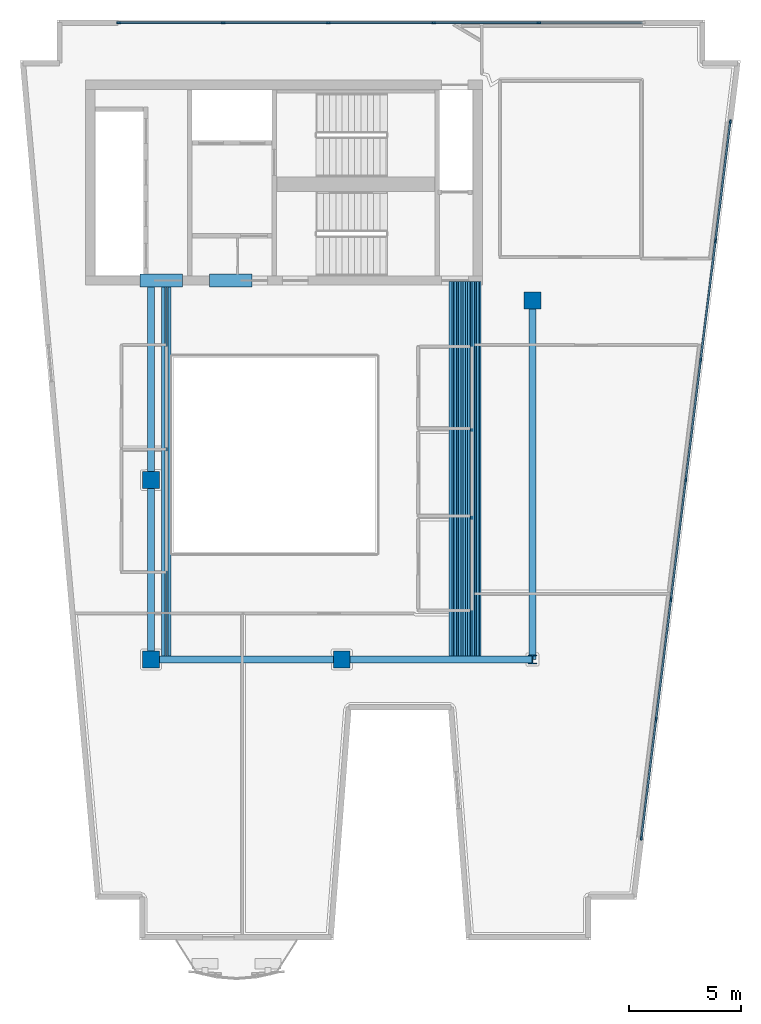
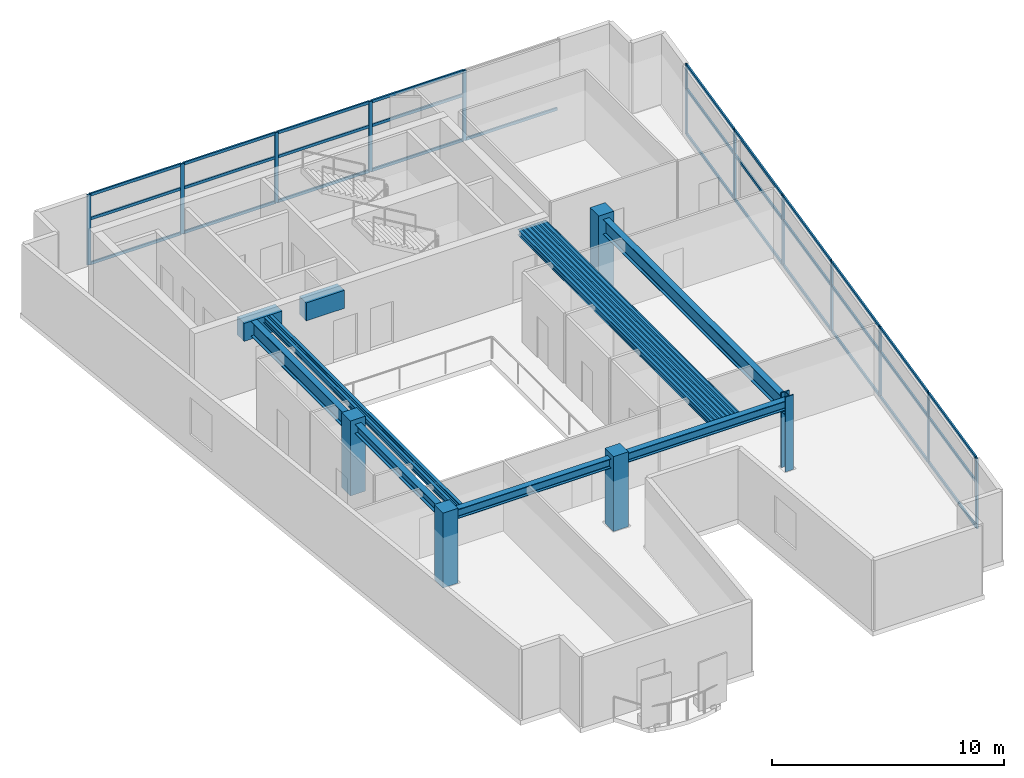
# One storey, part 1 of 7: 43 members, 24 beams, 5 columns, 2 elements without a shape of their own.
"""IFC4 building model written with IfcOpenShell, lengths in metres."""

from ifc_helpers import new_model, si_unit, direction, frame, origin, origin_2d, place, context, subcontext, project, spatial, rectangle, hollow_rectangle, i_section, extrude, material, layer, layer_set, material_profile, profile_set, type_object, element, aggregate, save


model = new_model("IFC4")

# Units and contexts
model_context = context("Model", 3, precision=1e-05, world=origin(), true_north=direction((0.0, 1.0)))
body_context = subcontext(model_context, "Body", "Model", "MODEL_VIEW")
ifc_project = project(units=[si_unit("LENGTHUNIT", "METRE"), si_unit("AREAUNIT", "SQUARE_METRE"), si_unit("VOLUMEUNIT", "CUBIC_METRE"), si_unit("PLANEANGLEUNIT", "RADIAN"), si_unit("MASSUNIT", "GRAM", prefix="KILO")], contexts=[model_context])

# Site, building, storey
site_placement = place(None, origin())
site = spatial("IfcSite", under=ifc_project, at=site_placement, CompositionType="ELEMENT")
building_placement = place(site_placement, origin())
building = spatial("IfcBuilding", under=site, at=building_placement, Name="Caeloran Harvest Quay", CompositionType="ELEMENT")
storey_placement = place(building_placement, frame((0.0, 0.0, 264.60009765625)))
storey = spatial("IfcBuildingStorey", under=building, at=storey_placement, Name="L63", CompositionType="ELEMENT", Elevation=264.60009765625)

# Columns
ifc_material_1 = material(Name="Concrete C60/75", Category="concrete")
ifc_material_profile_1 = material_profile(ifc_material_1, rectangle(XDim=0.75, YDim=0.75, at=origin_2d()), Name="RC 750x750")
ifc_profile_set_1 = profile_set([ifc_material_profile_1], Name="Concrete C60/75")
column_type_1 = type_object("IfcColumnType", Name="COL-MC-5-RC_750x750", PredefinedType="COLUMN", material=ifc_profile_set_1)
for number, where, z_axis, x_axis, name in (
    (1, (8.5, 15.0, 0.0), (0.0, 0.0, 1.0), (1.0, 0.0, 0.0), "L63 Structural Column (8.5, 15.0)"),
    (2, (8.5, 23.0, 0.0), (0.0, 0.0, 1.0), (1.0, 0.0, 0.0), "L63 Structural Column (8.5, 23.0)"),
    (3, (17.0, 15.0, 0.0), (0.0, 0.0, 1.0), (1.0, 0.0, 0.0), "L63 Structural Column (17.0, 15.0)"),
    (4, (25.5, 31.0, 0.0), (0.0, 0.0, 1.0), (1.0, 0.0, 0.0), "L63 Structural Column (25.5, 31.0)"),
):
    element("IfcColumn", number, at=place(storey_placement, frame(where, z_axis=z_axis, x_axis=x_axis)), inside=storey, type_object=column_type_1, Name=name, PredefinedType="COLUMN", context=body_context, shape_type="SweptSolid", body=[
        extrude(rectangle(XDim=0.75, YDim=0.75, at=origin_2d()), origin(), (0.0, 0.0, 1.0), 3.949951171875),
    ])
ifc_material_2 = material(Name="Steel HISTAR 460", Category="steel")
ifc_material_profile_2 = material_profile(ifc_material_2, i_section(OverallWidth=0.406005859375, OverallDepth=0.416015625, WebThickness=0.02978515625, FlangeThickness=0.048095703125, FilletRadius=0.014892578125, at=origin_2d()), Name="HD 400x382")
ifc_profile_set_2 = profile_set([ifc_material_profile_2], Name="Steel HISTAR 460")
column_type_2 = type_object("IfcColumnType", Name="COL-SC-5-HD_400x382", PredefinedType="COLUMN", material=ifc_profile_set_2)
column_placement = place(storey_placement, frame((25.5, 15.0, 0.0), z_axis=(0.0, 0.0, 1.0), x_axis=(1.0, 0.0, 0.0)))
element("IfcColumn", 5, at=column_placement, inside=storey, type_object=column_type_2, Name="L63 Structural Column (25.5, 15.0)", PredefinedType="COLUMN", context=body_context, shape_type="SweptSolid", body=[
    extrude(i_section(OverallWidth=0.406005859375, OverallDepth=0.416015625, WebThickness=0.02978515625, FlangeThickness=0.048095703125, FilletRadius=0.014892578125, at=origin_2d()), origin(), (0.0, 0.0, 1.0), 3.949951171875),
])

# Beams
ifc_material_profile_3 = material_profile(ifc_material_1, rectangle(XDim=0.60009765625, YDim=0.949951171875, at=origin_2d()), Name="RC 600x950")
ifc_profile_set_3 = profile_set([ifc_material_profile_3], Name="Concrete C60/75")
beam_type_1 = type_object("IfcBeamType", Name="BM-CB-2-RC_600x950", PredefinedType="LINTEL", material=ifc_profile_set_3)
for number, where, z_axis, x_axis, name in (
    (6, (8.0, 31.889892578125, 3.224853515625), (1.0, 0.0, 0.0), (0.0, 1.0, 0.0), "L63 Core Coupling Beam 1"),
    (7, (11.10009765625, 31.889892578125, 3.224853515625), (1.0, 0.0, 0.0), (0.0, 1.0, 0.0), "L63 Core Coupling Beam 2"),
):
    element("IfcBeam", number, at=place(storey_placement, frame(where, z_axis=z_axis, x_axis=x_axis)), inside=storey, type_object=beam_type_1, Name=name, PredefinedType="LINTEL", context=body_context, shape_type="SweptSolid", body=[
        extrude(rectangle(XDim=0.60009765625, YDim=0.949951171875, at=origin_2d()), origin(), (0.0, 0.0, 1.0), 1.89990234375),
    ])
ifc_material_3 = material(Name="Steel S355J2", Category="steel")
ifc_material_profile_4 = material_profile(ifc_material_3, i_section(OverallWidth=0.300048828125, OverallDepth=0.800048828125, WebThickness=0.017578125, FlangeThickness=0.032958984375, FilletRadius=0.030029296875, at=origin_2d()), Name="HE 800 B")
ifc_profile_set_4 = profile_set([ifc_material_profile_4], Name="Steel S355J2")
beam_type_2 = type_object("IfcBeamType", Name="BM-PG-1-HE_800_B", PredefinedType="BEAM", material=ifc_profile_set_4)
beam_1_placement = place(storey_placement, frame((8.5, 23.0, 3.2998046875), z_axis=(0.0, 1.0, 0.0), x_axis=(-1.0, 0.0, 0.0)))
element("IfcBeam", 8, at=beam_1_placement, inside=storey, type_object=beam_type_2, Name="L63 Core South Tie Girder X=8.5", PredefinedType="BEAM", context=body_context, shape_type="SweptSolid", body=[
    extrude(i_section(OverallWidth=0.300048828125, OverallDepth=0.800048828125, WebThickness=0.017578125, FlangeThickness=0.032958984375, FilletRadius=0.030029296875, at=origin_2d()), origin(), (0.0, 0.0, 1.0), 8.840087890625),
])
beam_2_placement = place(storey_placement, frame((25.5, 15.0, 3.2998046875), z_axis=(0.0, 1.0, 0.0), x_axis=(-1.0, 0.0, 0.0)))
element("IfcBeam", 9, at=beam_2_placement, inside=storey, type_object=beam_type_2, Name="L63 Primary North-South Girder X=25.5", PredefinedType="BEAM", context=body_context, shape_type="SweptSolid", body=[
    extrude(i_section(OverallWidth=0.300048828125, OverallDepth=0.800048828125, WebThickness=0.017578125, FlangeThickness=0.032958984375, FilletRadius=0.030029296875, at=origin_2d()), origin(), (0.0, 0.0, 1.0), 16.0),
])
ifc_material_profile_5 = material_profile(ifc_material_3, i_section(OverallWidth=0.300048828125, OverallDepth=0.5, WebThickness=0.014404296875, FlangeThickness=0.028076171875, FilletRadius=0.027099609375, at=origin_2d()), Name="HE 500 B")
ifc_profile_set_5 = profile_set([ifc_material_profile_5], Name="Steel S355J2")
beam_type_3 = type_object("IfcBeamType", Name="BM-PG-4-HE_500_B", PredefinedType="BEAM", material=ifc_profile_set_5)
for number, where, z_axis, x_axis, name in (
    (10, (8.5, 15.0, 3.449951171875), (1.0, 0.0, 0.0), (0.0, 1.0, 0.0), "L63 Primary East-West Girder Y=15.0"),
    (11, (17.0, 15.0, 3.449951171875), (1.0, 0.0, 0.0), (0.0, 1.0, 0.0), "L63 Primary East-West Girder Y=15.0"),
):
    element("IfcBeam", number, at=place(storey_placement, frame(where, z_axis=z_axis, x_axis=x_axis)), inside=storey, type_object=beam_type_3, Name=name, PredefinedType="BEAM", context=body_context, shape_type="SweptSolid", body=[
        extrude(i_section(OverallWidth=0.300048828125, OverallDepth=0.5, WebThickness=0.014404296875, FlangeThickness=0.028076171875, FilletRadius=0.027099609375, at=origin_2d()), origin(), (0.0, 0.0, 1.0), 8.5),
    ])
beam_3_placement = place(storey_placement, frame((8.5, 15.0, 3.449951171875), z_axis=(0.0, 1.0, 0.0), x_axis=(-1.0, 0.0, 0.0)))
element("IfcBeam", 12, at=beam_3_placement, inside=storey, type_object=beam_type_3, Name="L63 Primary North-South Girder X=8.5", PredefinedType="BEAM", context=body_context, shape_type="SweptSolid", body=[
    extrude(i_section(OverallWidth=0.300048828125, OverallDepth=0.5, WebThickness=0.014404296875, FlangeThickness=0.028076171875, FilletRadius=0.027099609375, at=origin_2d()), origin(), (0.0, 0.0, 1.0), 8.0),
])
ifc_material_profile_6 = material_profile(ifc_material_3, i_section(OverallWidth=0.14990234375, OverallDepth=0.300048828125, WebThickness=0.007080078125, FlangeThickness=0.0107421875, FilletRadius=0.014892578125, at=origin_2d()), Name="IPE 300")
ifc_profile_set_6 = profile_set([ifc_material_profile_6], Name="Steel S355J2")
beam_type_4 = type_object("IfcBeamType", Name="BM-SB-6-IPE_300", PredefinedType="JOIST", material=ifc_profile_set_6)
for number, where, z_axis, x_axis, name in (
    (13, (9.04833984375, 15.14501953125, 3.5498046875), (0.0, 1.0, 0.0), (-1.0, 0.0, 0.0), "L63 Secondary Composite Joist"),
    (14, (9.322509765625, 15.14501953125, 3.5498046875), (0.0, 1.0, 0.0), (-1.0, 0.0, 0.0), "L63 Secondary Composite Joist"),
    (15, (21.854248046875, 15.14501953125, 3.5498046875), (0.0, 1.0, 0.0), (-1.0, 0.0, 0.0), "L63 Secondary Composite Joist"),
    (16, (22.056396484375, 15.14501953125, 3.5498046875), (0.0, 1.0, 0.0), (-1.0, 0.0, 0.0), "L63 Secondary Composite Joist"),
    (17, (22.2587890625, 15.14501953125, 3.5498046875), (0.0, 1.0, 0.0), (-1.0, 0.0, 0.0), "L63 Secondary Composite Joist"),
    (18, (22.4609375, 15.14501953125, 3.5498046875), (0.0, 1.0, 0.0), (-1.0, 0.0, 0.0), "L63 Secondary Composite Joist"),
    (19, (22.6630859375, 15.14501953125, 3.5498046875), (0.0, 1.0, 0.0), (-1.0, 0.0, 0.0), "L63 Secondary Composite Joist"),
    (20, (22.865478515625, 15.14501953125, 3.5498046875), (0.0, 1.0, 0.0), (-1.0, 0.0, 0.0), "L63 Secondary Composite Joist"),
    (21, (23.067626953125, 15.14501953125, 3.5498046875), (0.0, 1.0, 0.0), (-1.0, 0.0, 0.0), "L63 Secondary Composite Joist"),
):
    element("IfcBeam", number, at=place(storey_placement, frame(where, z_axis=z_axis, x_axis=x_axis)), inside=storey, type_object=beam_type_4, Name=name, PredefinedType="JOIST", context=body_context, shape_type="SweptSolid", body=[
        extrude(i_section(OverallWidth=0.14990234375, OverallDepth=0.300048828125, WebThickness=0.007080078125, FlangeThickness=0.0107421875, FilletRadius=0.014892578125, at=origin_2d()), origin(), (0.0, 0.0, 1.0), 16.695068359375),
    ])
ifc_material_profile_7 = material_profile(ifc_material_3, hollow_rectangle(XDim=0.080078125, YDim=0.199951171875, WallThickness=0.006103515625, InnerFilletRadius=0.006103515625, OuterFilletRadius=0.009033203125, at=origin_2d()), Name="RHS 200x80x6")
ifc_profile_set_7 = profile_set([ifc_material_profile_7], Name="Steel S355J2")
beam_type_5 = type_object("IfcBeamType", Name="BM-SB-7-RHS_200x80x6", PredefinedType="JOIST", material=ifc_profile_set_7)
for number, where, z_axis, x_axis, name in (
    (22, (9.185546875, 15.14501953125, 3.599853515625), (0.0, 1.0, 0.0), (-1.0, 0.0, 0.0), "L63 Secondary Composite Joist"),
    (23, (21.955322265625, 15.14501953125, 3.599853515625), (0.0, 1.0, 0.0), (-1.0, 0.0, 0.0), "L63 Secondary Composite Joist"),
    (24, (22.15771484375, 15.14501953125, 3.599853515625), (0.0, 1.0, 0.0), (-1.0, 0.0, 0.0), "L63 Secondary Composite Joist"),
    (25, (22.35986328125, 15.14501953125, 3.599853515625), (0.0, 1.0, 0.0), (-1.0, 0.0, 0.0), "L63 Secondary Composite Joist"),
    (26, (22.56201171875, 15.14501953125, 3.599853515625), (0.0, 1.0, 0.0), (-1.0, 0.0, 0.0), "L63 Secondary Composite Joist"),
    (27, (22.764404296875, 15.14501953125, 3.599853515625), (0.0, 1.0, 0.0), (-1.0, 0.0, 0.0), "L63 Secondary Composite Joist"),
    (28, (22.966552734375, 15.14501953125, 3.599853515625), (0.0, 1.0, 0.0), (-1.0, 0.0, 0.0), "L63 Secondary Composite Joist"),
    (29, (23.1689453125, 15.14501953125, 3.599853515625), (0.0, 1.0, 0.0), (-1.0, 0.0, 0.0), "L63 Secondary Composite Joist"),
):
    element("IfcBeam", number, at=place(storey_placement, frame(where, z_axis=z_axis, x_axis=x_axis)), inside=storey, type_object=beam_type_5, Name=name, PredefinedType="JOIST", context=body_context, shape_type="SweptSolid", body=[
        extrude(hollow_rectangle(XDim=0.080078125, YDim=0.199951171875, WallThickness=0.006103515625, InnerFilletRadius=0.006103515625, OuterFilletRadius=0.009033203125, at=origin_2d()), origin(), (0.0, 0.0, 1.0), 16.695068359375),
    ])

# Curtain wall, members
ifc_material_4 = material(Name="Aluminium 6063-T6 and Low-E Glazing", Category="aluminium")
ifc_layer = layer(ifc_material_4, 0.219970703125, Name="Aluminium 6063-T6 and Low-E Glazing")
ifc_layer_set = layer_set([ifc_layer], Name="Aluminium 6063-T6 and Low-E Glazing")
curtain_wall_type = type_object("IfcCurtainWallType", Name="CW-SYS-CW-5", PredefinedType="USERDEFINED", material=ifc_layer_set)
curtain_wall_1_placement = place(storey_placement, origin())
curtain_wall_1 = element("IfcCurtainWall", 30, at=curtain_wall_1_placement, inside=storey, type_object=curtain_wall_type, Name="L63 Unitised Curtain Wall CW-5 Run 6", ObjectType="CURTAIN_WALL", PredefinedType="USERDEFINED")
ifc_material_5 = material(Name="Aluminium 6063-T6", Category="aluminium")
ifc_material_profile_8 = material_profile(ifc_material_5, rectangle(XDim=0.080078125, YDim=0.179931640625, at=origin_2d()), Name="CW-MULLION-180")
ifc_profile_set_8 = profile_set([ifc_material_profile_8], Name="Aluminium 6063-T6")
member_type_1 = type_object("IfcMemberType", Name="CW-MULLION-180", PredefinedType="MULLION", material=ifc_profile_set_8)
member_1_placement = place(storey_placement, frame((7.06005859375, 43.3798828125, 0.0), z_axis=(0.0, 0.0, 1.0), x_axis=(0.0, 1.0, 0.0)))
member_1 = element("IfcMember", 31, at=member_1_placement, type_object=member_type_1, Name="CW-5 mullion 1", PredefinedType="MULLION", context=body_context, shape_type="SweptSolid", body=[
    extrude(rectangle(XDim=0.080078125, YDim=0.179931640625, at=origin_2d()), origin(), (0.0, 0.0, 1.0), 3.699951171875),
])
member_2_placement = place(storey_placement, frame((11.7119140625, 43.3798828125, 0.0), z_axis=(0.0, 0.0, 1.0), x_axis=(0.0, 1.0, 0.0)))
member_2 = element("IfcMember", 32, at=member_2_placement, type_object=member_type_1, Name="CW-5 mullion 2", PredefinedType="MULLION", context=body_context, shape_type="SweptSolid", body=[
    extrude(rectangle(XDim=0.080078125, YDim=0.179931640625, at=origin_2d()), origin(), (0.0, 0.0, 1.0), 3.699951171875),
])
member_3_placement = place(storey_placement, frame((16.404052734375, 43.3798828125, 0.0), z_axis=(0.0, 0.0, 1.0), x_axis=(0.0, 1.0, 0.0)))
member_3 = element("IfcMember", 33, at=member_3_placement, type_object=member_type_1, Name="CW-5 mullion 3", PredefinedType="MULLION", context=body_context, shape_type="SweptSolid", body=[
    extrude(rectangle(XDim=0.080078125, YDim=0.179931640625, at=origin_2d()), origin(), (0.0, 0.0, 1.0), 3.699951171875),
])
member_4_placement = place(storey_placement, frame((21.095947265625, 43.3798828125, 0.0), z_axis=(0.0, 0.0, 1.0), x_axis=(0.0, 1.0, 0.0)))
member_4 = element("IfcMember", 34, at=member_4_placement, type_object=member_type_1, Name="CW-5 mullion 4", PredefinedType="MULLION", context=body_context, shape_type="SweptSolid", body=[
    extrude(rectangle(XDim=0.080078125, YDim=0.179931640625, at=origin_2d()), origin(), (0.0, 0.0, 1.0), 3.699951171875),
])
member_5_placement = place(storey_placement, frame((25.7880859375, 43.3798828125, 0.0), z_axis=(0.0, 0.0, 1.0), x_axis=(0.0, 1.0, 0.0)))
member_5 = element("IfcMember", 35, at=member_5_placement, type_object=member_type_1, Name="CW-5 mullion 5", PredefinedType="MULLION", context=body_context, shape_type="SweptSolid", body=[
    extrude(rectangle(XDim=0.080078125, YDim=0.179931640625, at=origin_2d()), origin(), (0.0, 0.0, 1.0), 3.699951171875),
])

curtain_wall_2_placement = place(storey_placement, origin())
curtain_wall_2 = element("IfcCurtainWall", 36, at=curtain_wall_2_placement, inside=storey, type_object=curtain_wall_type, Name="L63 Unitised Curtain Wall CW-5 Run 9", ObjectType="CURTAIN_WALL", PredefinedType="USERDEFINED")
member_6_placement = place(storey_placement, frame((34.315673828125, 38.960205078125, 0.0), z_axis=(0.0, 0.0, 1.0), x_axis=(0.992383054958, -0.123190390176, 0.0)))
member_6 = element("IfcMember", 37, at=member_6_placement, type_object=member_type_1, Name="CW-5 mullion 1", PredefinedType="MULLION", context=body_context, shape_type="SweptSolid", body=[
    extrude(rectangle(XDim=0.080078125, YDim=0.179931640625, at=origin_2d()), origin(), (0.0, 0.0, 1.0), 3.699951171875),
])
member_7_placement = place(storey_placement, frame((33.658447265625, 33.66650390625, 0.0), z_axis=(0.0, 0.0, 1.0), x_axis=(0.992383054958, -0.123190390176, 0.0)))
member_7 = element("IfcMember", 38, at=member_7_placement, type_object=member_type_1, Name="CW-5 mullion 2", PredefinedType="MULLION", context=body_context, shape_type="SweptSolid", body=[
    extrude(rectangle(XDim=0.080078125, YDim=0.179931640625, at=origin_2d()), origin(), (0.0, 0.0, 1.0), 3.699951171875),
])
member_8_placement = place(storey_placement, frame((32.996337890625, 28.333251953125, 0.0), z_axis=(0.0, 0.0, 1.0), x_axis=(0.992383054958, -0.123190390176, 0.0)))
member_8 = element("IfcMember", 39, at=member_8_placement, type_object=member_type_1, Name="CW-5 mullion 3", PredefinedType="MULLION", context=body_context, shape_type="SweptSolid", body=[
    extrude(rectangle(XDim=0.080078125, YDim=0.179931640625, at=origin_2d()), origin(), (0.0, 0.0, 1.0), 3.699951171875),
])
member_9_placement = place(storey_placement, frame((32.334228515625, 23.0, 0.0), z_axis=(0.0, 0.0, 1.0), x_axis=(0.992383054958, -0.123190390176, 0.0)))
member_9 = element("IfcMember", 40, at=member_9_placement, type_object=member_type_1, Name="CW-5 mullion 4", PredefinedType="MULLION", context=body_context, shape_type="SweptSolid", body=[
    extrude(rectangle(XDim=0.080078125, YDim=0.179931640625, at=origin_2d()), origin(), (0.0, 0.0, 1.0), 3.699951171875),
])
member_10_placement = place(storey_placement, frame((31.67236328125, 17.666748046875, 0.0), z_axis=(0.0, 0.0, 1.0), x_axis=(0.992383054958, -0.123190390176, 0.0)))
member_10 = element("IfcMember", 41, at=member_10_placement, type_object=member_type_1, Name="CW-5 mullion 5", PredefinedType="MULLION", context=body_context, shape_type="SweptSolid", body=[
    extrude(rectangle(XDim=0.080078125, YDim=0.179931640625, at=origin_2d()), origin(), (0.0, 0.0, 1.0), 3.699951171875),
])
member_11_placement = place(storey_placement, frame((31.01025390625, 12.33349609375, 0.0), z_axis=(0.0, 0.0, 1.0), x_axis=(0.992383054958, -0.123190390176, 0.0)))
member_11 = element("IfcMember", 42, at=member_11_placement, type_object=member_type_1, Name="CW-5 mullion 6", PredefinedType="MULLION", context=body_context, shape_type="SweptSolid", body=[
    extrude(rectangle(XDim=0.080078125, YDim=0.179931640625, at=origin_2d()), origin(), (0.0, 0.0, 1.0), 3.699951171875),
])
member_12_placement = place(storey_placement, frame((30.35302734375, 7.039794921875, 0.0), z_axis=(0.0, 0.0, 1.0), x_axis=(0.992383054958, -0.123190390176, 0.0)))
member_12 = element("IfcMember", 43, at=member_12_placement, type_object=member_type_1, Name="CW-5 mullion 7", PredefinedType="MULLION", context=body_context, shape_type="SweptSolid", body=[
    extrude(rectangle(XDim=0.080078125, YDim=0.179931640625, at=origin_2d()), origin(), (0.0, 0.0, 1.0), 3.699951171875),
])

# Member
ifc_material_profile_9 = material_profile(ifc_material_5, rectangle(XDim=0.080078125, YDim=0.14990234375, at=origin_2d()), Name="CW-TRANSOM-150")
ifc_profile_set_9 = profile_set([ifc_material_profile_9], Name="Aluminium 6063-T6")
member_type_2 = type_object("IfcMemberType", Name="CW-TRANSOM-150", PredefinedType="USERDEFINED", material=ifc_profile_set_9)
member_13_placement = place(storey_placement, frame((7.10009765625, 43.3798828125, 0.039794921875), z_axis=(1.0, 0.0, 0.0), x_axis=(0.0, 1.0, 0.0)))
member_13 = element("IfcMember", 44, at=member_13_placement, type_object=member_type_2, Name="CW-5 transom 1.1", ObjectType="TRANSOM", PredefinedType="USERDEFINED", context=body_context, shape_type="SweptSolid", body=[
    extrude(rectangle(XDim=0.080078125, YDim=0.14990234375, at=origin_2d()), origin(), (0.0, 0.0, 1.0), 4.572021484375),
])

member_14_placement = place(storey_placement, frame((7.10009765625, 43.3798828125, 2.39990234375), z_axis=(1.0, 0.0, 0.0), x_axis=(0.0, 1.0, 0.0)))
member_14 = element("IfcMember", 45, at=member_14_placement, type_object=member_type_2, Name="CW-5 transom 1.2", ObjectType="TRANSOM", PredefinedType="USERDEFINED", context=body_context, shape_type="SweptSolid", body=[
    extrude(rectangle(XDim=0.080078125, YDim=0.14990234375, at=origin_2d()), origin(), (0.0, 0.0, 1.0), 4.572021484375),
])

member_15_placement = place(storey_placement, frame((7.10009765625, 43.3798828125, 3.659912109375), z_axis=(1.0, 0.0, 0.0), x_axis=(0.0, 1.0, 0.0)))
member_15 = element("IfcMember", 46, at=member_15_placement, type_object=member_type_2, Name="CW-5 transom 1.3", ObjectType="TRANSOM", PredefinedType="USERDEFINED", context=body_context, shape_type="SweptSolid", body=[
    extrude(rectangle(XDim=0.080078125, YDim=0.14990234375, at=origin_2d()), origin(), (0.0, 0.0, 1.0), 4.572021484375),
])

member_16_placement = place(storey_placement, frame((11.751953125, 43.3798828125, 0.039794921875), z_axis=(1.0, 0.0, 0.0), x_axis=(0.0, 1.0, 0.0)))
member_16 = element("IfcMember", 47, at=member_16_placement, type_object=member_type_2, Name="CW-5 transom 2.1", ObjectType="TRANSOM", PredefinedType="USERDEFINED", context=body_context, shape_type="SweptSolid", body=[
    extrude(rectangle(XDim=0.080078125, YDim=0.14990234375, at=origin_2d()), origin(), (0.0, 0.0, 1.0), 4.612060546875),
])

member_17_placement = place(storey_placement, frame((11.751953125, 43.3798828125, 2.39990234375), z_axis=(1.0, 0.0, 0.0), x_axis=(0.0, 1.0, 0.0)))
member_17 = element("IfcMember", 48, at=member_17_placement, type_object=member_type_2, Name="CW-5 transom 2.2", ObjectType="TRANSOM", PredefinedType="USERDEFINED", context=body_context, shape_type="SweptSolid", body=[
    extrude(rectangle(XDim=0.080078125, YDim=0.14990234375, at=origin_2d()), origin(), (0.0, 0.0, 1.0), 4.612060546875),
])

member_18_placement = place(storey_placement, frame((11.751953125, 43.3798828125, 3.659912109375), z_axis=(1.0, 0.0, 0.0), x_axis=(0.0, 1.0, 0.0)))
member_18 = element("IfcMember", 49, at=member_18_placement, type_object=member_type_2, Name="CW-5 transom 2.3", ObjectType="TRANSOM", PredefinedType="USERDEFINED", context=body_context, shape_type="SweptSolid", body=[
    extrude(rectangle(XDim=0.080078125, YDim=0.14990234375, at=origin_2d()), origin(), (0.0, 0.0, 1.0), 4.612060546875),
])

member_19_placement = place(storey_placement, frame((16.444091796875, 43.3798828125, 0.039794921875), z_axis=(1.0, 0.0, 0.0), x_axis=(0.0, 1.0, 0.0)))
member_19 = element("IfcMember", 50, at=member_19_placement, type_object=member_type_2, Name="CW-5 transom 3.1", ObjectType="TRANSOM", PredefinedType="USERDEFINED", context=body_context, shape_type="SweptSolid", body=[
    extrude(rectangle(XDim=0.080078125, YDim=0.14990234375, at=origin_2d()), origin(), (0.0, 0.0, 1.0), 4.61181640625),
])

member_20_placement = place(storey_placement, frame((16.444091796875, 43.3798828125, 2.39990234375), z_axis=(1.0, 0.0, 0.0), x_axis=(0.0, 1.0, 0.0)))
member_20 = element("IfcMember", 51, at=member_20_placement, type_object=member_type_2, Name="CW-5 transom 3.2", ObjectType="TRANSOM", PredefinedType="USERDEFINED", context=body_context, shape_type="SweptSolid", body=[
    extrude(rectangle(XDim=0.080078125, YDim=0.14990234375, at=origin_2d()), origin(), (0.0, 0.0, 1.0), 4.61181640625),
])

member_21_placement = place(storey_placement, frame((16.444091796875, 43.3798828125, 3.659912109375), z_axis=(1.0, 0.0, 0.0), x_axis=(0.0, 1.0, 0.0)))
member_21 = element("IfcMember", 52, at=member_21_placement, type_object=member_type_2, Name="CW-5 transom 3.3", ObjectType="TRANSOM", PredefinedType="USERDEFINED", context=body_context, shape_type="SweptSolid", body=[
    extrude(rectangle(XDim=0.080078125, YDim=0.14990234375, at=origin_2d()), origin(), (0.0, 0.0, 1.0), 4.61181640625),
])

member_22_placement = place(storey_placement, frame((21.135986328125, 43.3798828125, 0.039794921875), z_axis=(1.0, 0.0, 0.0), x_axis=(0.0, 1.0, 0.0)))
member_22 = element("IfcMember", 53, at=member_22_placement, type_object=member_type_2, Name="CW-5 transom 4.1", ObjectType="TRANSOM", PredefinedType="USERDEFINED", context=body_context, shape_type="SweptSolid", body=[
    extrude(rectangle(XDim=0.080078125, YDim=0.14990234375, at=origin_2d()), origin(), (0.0, 0.0, 1.0), 4.612060546875),
])

member_23_placement = place(storey_placement, frame((21.135986328125, 43.3798828125, 2.39990234375), z_axis=(1.0, 0.0, 0.0), x_axis=(0.0, 1.0, 0.0)))
member_23 = element("IfcMember", 54, at=member_23_placement, type_object=member_type_2, Name="CW-5 transom 4.2", ObjectType="TRANSOM", PredefinedType="USERDEFINED", context=body_context, shape_type="SweptSolid", body=[
    extrude(rectangle(XDim=0.080078125, YDim=0.14990234375, at=origin_2d()), origin(), (0.0, 0.0, 1.0), 4.612060546875),
])

member_24_placement = place(storey_placement, frame((21.135986328125, 43.3798828125, 3.659912109375), z_axis=(1.0, 0.0, 0.0), x_axis=(0.0, 1.0, 0.0)))
member_24 = element("IfcMember", 55, at=member_24_placement, type_object=member_type_2, Name="CW-5 transom 4.3", ObjectType="TRANSOM", PredefinedType="USERDEFINED", context=body_context, shape_type="SweptSolid", body=[
    extrude(rectangle(XDim=0.080078125, YDim=0.14990234375, at=origin_2d()), origin(), (0.0, 0.0, 1.0), 4.612060546875),
])

member_25_placement = place(storey_placement, frame((25.827880859375, 43.3798828125, 0.039794921875), z_axis=(1.0, 0.0, 0.0), x_axis=(0.0, 1.0, 0.0)))
member_25 = element("IfcMember", 56, at=member_25_placement, type_object=member_type_2, Name="CW-5 transom 5.1", ObjectType="TRANSOM", PredefinedType="USERDEFINED", context=body_context, shape_type="SweptSolid", body=[
    extrude(rectangle(XDim=0.080078125, YDim=0.14990234375, at=origin_2d()), origin(), (0.0, 0.0, 1.0), 4.572021484375),
])

aggregate(curtain_wall_1, [member_1, member_2, member_3, member_4, member_5, member_13, member_14, member_15, member_16, member_17, member_18, member_19, member_20, member_21, member_22, member_23, member_24, member_25])

member_26_placement = place(storey_placement, frame((34.310546875, 38.92041015625, 0.039794921875), z_axis=(-0.123182565602, -0.992384026238, 0.0), x_axis=(0.992384026238, -0.123182565602, 0.0)))
member_26 = element("IfcMember", 57, at=member_26_placement, type_object=member_type_2, Name="CW-5 transom 1.1", ObjectType="TRANSOM", PredefinedType="USERDEFINED", context=body_context, shape_type="SweptSolid", body=[
    extrude(rectangle(XDim=0.080078125, YDim=0.14990234375, at=origin_2d()), origin(), (0.0, 0.0, 1.0), 5.254150390625),
])

member_27_placement = place(storey_placement, frame((34.310546875, 38.92041015625, 2.39990234375), z_axis=(-0.123182565602, -0.992384026238, 0.0), x_axis=(0.992384026238, -0.123182565602, 0.0)))
member_27 = element("IfcMember", 58, at=member_27_placement, type_object=member_type_2, Name="CW-5 transom 1.2", ObjectType="TRANSOM", PredefinedType="USERDEFINED", context=body_context, shape_type="SweptSolid", body=[
    extrude(rectangle(XDim=0.080078125, YDim=0.14990234375, at=origin_2d()), origin(), (0.0, 0.0, 1.0), 5.254150390625),
])

member_28_placement = place(storey_placement, frame((34.310546875, 38.92041015625, 3.659912109375), z_axis=(-0.123182565602, -0.992384026238, 0.0), x_axis=(0.992384026238, -0.123182565602, 0.0)))
member_28 = element("IfcMember", 59, at=member_28_placement, type_object=member_type_2, Name="CW-5 transom 1.3", ObjectType="TRANSOM", PredefinedType="USERDEFINED", context=body_context, shape_type="SweptSolid", body=[
    extrude(rectangle(XDim=0.080078125, YDim=0.14990234375, at=origin_2d()), origin(), (0.0, 0.0, 1.0), 5.254150390625),
])

member_29_placement = place(storey_placement, frame((33.653564453125, 33.626953125, 0.039794921875), z_axis=(-0.12321740526, -0.992379701042, 0.0), x_axis=(0.992379701042, -0.12321740526, 0.0)))
member_29 = element("IfcMember", 60, at=member_29_placement, type_object=member_type_2, Name="CW-5 transom 2.1", ObjectType="TRANSOM", PredefinedType="USERDEFINED", context=body_context, shape_type="SweptSolid", body=[
    extrude(rectangle(XDim=0.080078125, YDim=0.14990234375, at=origin_2d()), origin(), (0.0, 0.0, 1.0), 5.294189453125),
])

member_30_placement = place(storey_placement, frame((33.653564453125, 33.626953125, 2.39990234375), z_axis=(-0.12321740526, -0.992379701042, 0.0), x_axis=(0.992379701042, -0.12321740526, 0.0)))
member_30 = element("IfcMember", 61, at=member_30_placement, type_object=member_type_2, Name="CW-5 transom 2.2", ObjectType="TRANSOM", PredefinedType="USERDEFINED", context=body_context, shape_type="SweptSolid", body=[
    extrude(rectangle(XDim=0.080078125, YDim=0.14990234375, at=origin_2d()), origin(), (0.0, 0.0, 1.0), 5.294189453125),
])

member_31_placement = place(storey_placement, frame((33.653564453125, 33.626953125, 3.659912109375), z_axis=(-0.12321740526, -0.992379701042, 0.0), x_axis=(0.992379701042, -0.12321740526, 0.0)))
member_31 = element("IfcMember", 62, at=member_31_placement, type_object=member_type_2, Name="CW-5 transom 2.3", ObjectType="TRANSOM", PredefinedType="USERDEFINED", context=body_context, shape_type="SweptSolid", body=[
    extrude(rectangle(XDim=0.080078125, YDim=0.14990234375, at=origin_2d()), origin(), (0.0, 0.0, 1.0), 5.294189453125),
])

member_32_placement = place(storey_placement, frame((32.991455078125, 28.29345703125, 0.039794921875), z_axis=(-0.123177627733, -0.992384639153, 0.0), x_axis=(0.992384639153, -0.123177627733, 0.0)))
member_32 = element("IfcMember", 63, at=member_32_placement, type_object=member_type_2, Name="CW-5 transom 3.1", ObjectType="TRANSOM", PredefinedType="USERDEFINED", context=body_context, shape_type="SweptSolid", body=[
    extrude(rectangle(XDim=0.080078125, YDim=0.14990234375, at=origin_2d()), origin(), (0.0, 0.0, 1.0), 5.2939453125),
])

member_33_placement = place(storey_placement, frame((32.991455078125, 28.29345703125, 2.39990234375), z_axis=(-0.123177627733, -0.992384639153, 0.0), x_axis=(0.992384639153, -0.123177627733, 0.0)))
member_33 = element("IfcMember", 64, at=member_33_placement, type_object=member_type_2, Name="CW-5 transom 3.2", ObjectType="TRANSOM", PredefinedType="USERDEFINED", context=body_context, shape_type="SweptSolid", body=[
    extrude(rectangle(XDim=0.080078125, YDim=0.14990234375, at=origin_2d()), origin(), (0.0, 0.0, 1.0), 5.2939453125),
])

member_34_placement = place(storey_placement, frame((32.991455078125, 28.29345703125, 3.659912109375), z_axis=(-0.123177627733, -0.992384639153, 0.0), x_axis=(0.992384639153, -0.123177627733, 0.0)))
member_34 = element("IfcMember", 65, at=member_34_placement, type_object=member_type_2, Name="CW-5 transom 3.3", ObjectType="TRANSOM", PredefinedType="USERDEFINED", context=body_context, shape_type="SweptSolid", body=[
    extrude(rectangle(XDim=0.080078125, YDim=0.14990234375, at=origin_2d()), origin(), (0.0, 0.0, 1.0), 5.2939453125),
])

member_35_placement = place(storey_placement, frame((32.329345703125, 22.960205078125, 0.039794921875), z_axis=(-0.123177627733, -0.992384639153, 0.0), x_axis=(0.992384639153, -0.123177627733, 0.0)))
member_35 = element("IfcMember", 66, at=member_35_placement, type_object=member_type_2, Name="CW-5 transom 4.1", ObjectType="TRANSOM", PredefinedType="USERDEFINED", context=body_context, shape_type="SweptSolid", body=[
    extrude(rectangle(XDim=0.080078125, YDim=0.14990234375, at=origin_2d()), origin(), (0.0, 0.0, 1.0), 5.2939453125),
])

member_36_placement = place(storey_placement, frame((32.329345703125, 22.960205078125, 2.39990234375), z_axis=(-0.123177627733, -0.992384639153, 0.0), x_axis=(0.992384639153, -0.123177627733, 0.0)))
member_36 = element("IfcMember", 67, at=member_36_placement, type_object=member_type_2, Name="CW-5 transom 4.2", ObjectType="TRANSOM", PredefinedType="USERDEFINED", context=body_context, shape_type="SweptSolid", body=[
    extrude(rectangle(XDim=0.080078125, YDim=0.14990234375, at=origin_2d()), origin(), (0.0, 0.0, 1.0), 5.2939453125),
])

member_37_placement = place(storey_placement, frame((32.329345703125, 22.960205078125, 3.659912109375), z_axis=(-0.123177627733, -0.992384639153, 0.0), x_axis=(0.992384639153, -0.123177627733, 0.0)))
member_37 = element("IfcMember", 68, at=member_37_placement, type_object=member_type_2, Name="CW-5 transom 4.3", ObjectType="TRANSOM", PredefinedType="USERDEFINED", context=body_context, shape_type="SweptSolid", body=[
    extrude(rectangle(XDim=0.080078125, YDim=0.14990234375, at=origin_2d()), origin(), (0.0, 0.0, 1.0), 5.2939453125),
])

member_38_placement = place(storey_placement, frame((31.66748046875, 17.626953125, 0.039794921875), z_axis=(-0.12321740526, -0.992379701042, 0.0), x_axis=(0.992379701042, -0.12321740526, 0.0)))
member_38 = element("IfcMember", 69, at=member_38_placement, type_object=member_type_2, Name="CW-5 transom 5.1", ObjectType="TRANSOM", PredefinedType="USERDEFINED", context=body_context, shape_type="SweptSolid", body=[
    extrude(rectangle(XDim=0.080078125, YDim=0.14990234375, at=origin_2d()), origin(), (0.0, 0.0, 1.0), 5.294189453125),
])

member_39_placement = place(storey_placement, frame((31.66748046875, 17.626953125, 2.39990234375), z_axis=(-0.12321740526, -0.992379701042, 0.0), x_axis=(0.992379701042, -0.12321740526, 0.0)))
member_39 = element("IfcMember", 70, at=member_39_placement, type_object=member_type_2, Name="CW-5 transom 5.2", ObjectType="TRANSOM", PredefinedType="USERDEFINED", context=body_context, shape_type="SweptSolid", body=[
    extrude(rectangle(XDim=0.080078125, YDim=0.14990234375, at=origin_2d()), origin(), (0.0, 0.0, 1.0), 5.294189453125),
])

member_40_placement = place(storey_placement, frame((31.66748046875, 17.626953125, 3.659912109375), z_axis=(-0.12321740526, -0.992379701042, 0.0), x_axis=(0.992379701042, -0.12321740526, 0.0)))
member_40 = element("IfcMember", 71, at=member_40_placement, type_object=member_type_2, Name="CW-5 transom 5.3", ObjectType="TRANSOM", PredefinedType="USERDEFINED", context=body_context, shape_type="SweptSolid", body=[
    extrude(rectangle(XDim=0.080078125, YDim=0.14990234375, at=origin_2d()), origin(), (0.0, 0.0, 1.0), 5.294189453125),
])

member_41_placement = place(storey_placement, frame((31.00537109375, 12.293701171875, 0.039794921875), z_axis=(-0.123182565602, -0.992384026238, 0.0), x_axis=(0.992384026238, -0.123182565602, 0.0)))
member_41 = element("IfcMember", 72, at=member_41_placement, type_object=member_type_2, Name="CW-5 transom 6.1", ObjectType="TRANSOM", PredefinedType="USERDEFINED", context=body_context, shape_type="SweptSolid", body=[
    extrude(rectangle(XDim=0.080078125, YDim=0.14990234375, at=origin_2d()), origin(), (0.0, 0.0, 1.0), 5.254150390625),
])

member_42_placement = place(storey_placement, frame((31.00537109375, 12.293701171875, 2.39990234375), z_axis=(-0.123182565602, -0.992384026238, 0.0), x_axis=(0.992384026238, -0.123182565602, 0.0)))
member_42 = element("IfcMember", 73, at=member_42_placement, type_object=member_type_2, Name="CW-5 transom 6.2", ObjectType="TRANSOM", PredefinedType="USERDEFINED", context=body_context, shape_type="SweptSolid", body=[
    extrude(rectangle(XDim=0.080078125, YDim=0.14990234375, at=origin_2d()), origin(), (0.0, 0.0, 1.0), 5.254150390625),
])

member_43_placement = place(storey_placement, frame((31.00537109375, 12.293701171875, 3.659912109375), z_axis=(-0.123182565602, -0.992384026238, 0.0), x_axis=(0.992384026238, -0.123182565602, 0.0)))
member_43 = element("IfcMember", 74, at=member_43_placement, type_object=member_type_2, Name="CW-5 transom 6.3", ObjectType="TRANSOM", PredefinedType="USERDEFINED", context=body_context, shape_type="SweptSolid", body=[
    extrude(rectangle(XDim=0.080078125, YDim=0.14990234375, at=origin_2d()), origin(), (0.0, 0.0, 1.0), 5.254150390625),
])

aggregate(curtain_wall_2, [member_6, member_7, member_8, member_9, member_10, member_11, member_12, member_26, member_27, member_28, member_29, member_30, member_31, member_32, member_33, member_34, member_35, member_36, member_37, member_38, member_39, member_40, member_41, member_42, member_43])

save(model, "model.ifc")
